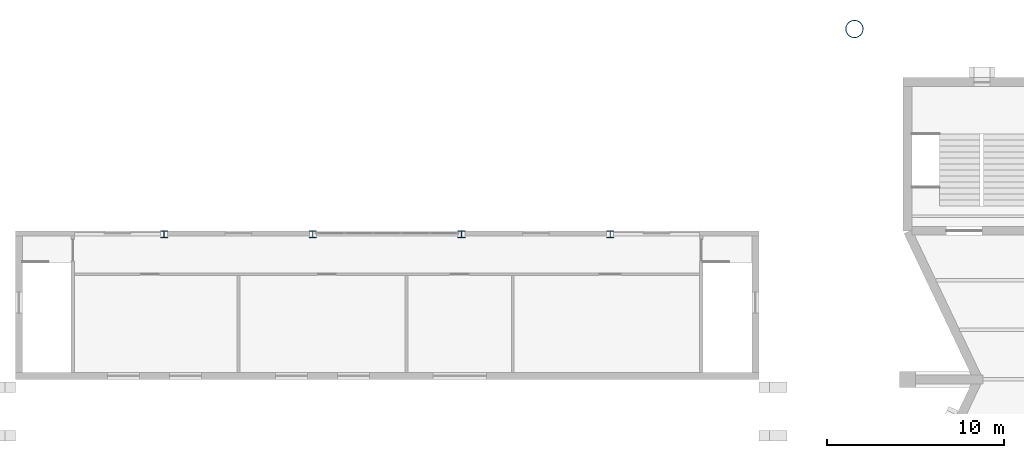
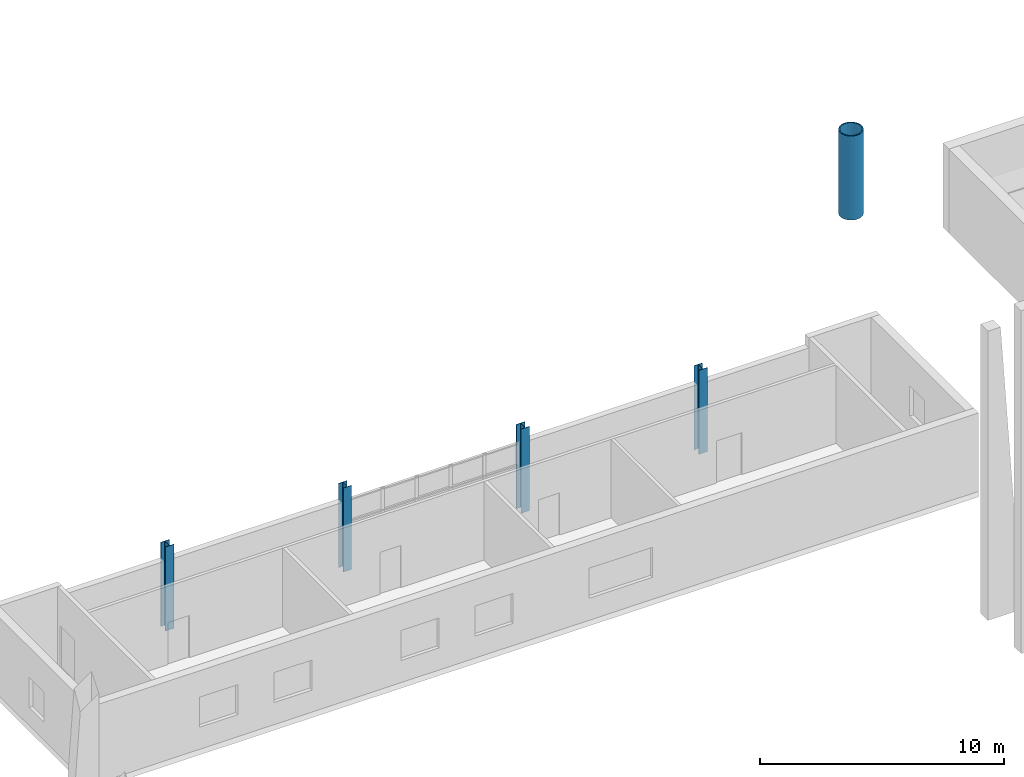
# One storey, part 8 of 96: 5 columns.
"""IFC4 building model written with IfcOpenShell, lengths in metres."""

from ifc_helpers import new_model, si_unit, direction, frame, origin, origin_2d, place, context, subcontext, project, spatial, hollow_circle, i_section, extrude, material, material_profile, profile_set, type_object, element, save


model = new_model("IFC4")

# Units and contexts
model_context = context("Model", 3, precision=1e-05, world=origin(), true_north=direction((0.0, 1.0)))
body_context = subcontext(model_context, "Body", "Model", "MODEL_VIEW")
ifc_project = project(units=[si_unit("LENGTHUNIT", "METRE"), si_unit("AREAUNIT", "SQUARE_METRE"), si_unit("VOLUMEUNIT", "CUBIC_METRE"), si_unit("PLANEANGLEUNIT", "RADIAN"), si_unit("MASSUNIT", "GRAM", prefix="KILO")], contexts=[model_context])

# Site, building, storey
site_placement = place(None, origin())
site = spatial("IfcSite", under=ifc_project, at=site_placement, CompositionType="ELEMENT")
building_placement = place(site_placement, origin())
building = spatial("IfcBuilding", under=site, at=building_placement, Name="Cresset Court Congress Hotel", CompositionType="ELEMENT")
storey_placement = place(building_placement, frame((0.0, 0.0, 6.0)))
storey = spatial("IfcBuildingStorey", under=building, at=storey_placement, Name="L01", CompositionType="ELEMENT", Elevation=6.0)

# Columns
ifc_material_1 = material(Name="Structural steel Q355B", Category="steel")
ifc_material_profile_1 = material_profile(ifc_material_1, i_section(OverallWidth=0.39990234375, OverallDepth=0.39990234375, WebThickness=0.012939453125, FlangeThickness=0.02099609375, FilletRadius=0.02197265625, at=origin_2d()), Name="HW400x400x13x21")
ifc_profile_set_1 = profile_set([ifc_material_profile_1], Name="Structural steel Q355B")
column_type_1 = type_object("IfcColumnType", Name="H-section column HW400x400x13x21", PredefinedType="COLUMN", material=ifc_profile_set_1)
for number, where, z_axis, x_axis, name in (
    (1, (16.800048828125, 109.0, 0.0), (0.0, 0.0, 1.0), (1.0, 0.0, 0.0), "Column D1"),
    (2, (25.199951171875, 109.0, 0.0), (0.0, 0.0, 1.0), (1.0, 0.0, 0.0), "Column D2"),
    (3, (33.60009765625, 109.0, 0.0), (0.0, 0.0, 1.0), (1.0, 0.0, 0.0), "Column D3"),
    (4, (42.0, 109.0, 0.0), (0.0, 0.0, 1.0), (1.0, 0.0, 0.0), "Column D4"),
):
    element("IfcColumn", number, at=place(storey_placement, frame(where, z_axis=z_axis, x_axis=x_axis)), inside=storey, type_object=column_type_1, Name=name, PredefinedType="COLUMN", context=body_context, shape_type="SweptSolid", body=[
        extrude(i_section(OverallWidth=0.39990234375, OverallDepth=0.39990234375, WebThickness=0.012939453125, FlangeThickness=0.02099609375, FilletRadius=0.02197265625, at=origin_2d()), origin(), (0.0, 0.0, 1.0), 4.199951171875),
    ])
ifc_material_2 = material(Name="Structural steel Q355B", Category="steel")
ifc_material_profile_2 = material_profile(ifc_material_2, hollow_circle(Radius=0.508056640625, WallThickness=0.050048828125, at=origin_2d()), Name="CHS1016x50")
ifc_profile_set_2 = profile_set([ifc_material_profile_2], Name="Structural steel Q355B")
column_type_2 = type_object("IfcColumnType", Name="Mast tube 1016x50", PredefinedType="COLUMN", material=ifc_profile_set_2)
column_placement = place(storey_placement, frame((55.800048828125, 120.60009765625, 0.0), z_axis=(0.0, 0.0, 1.0), x_axis=(1.0, 0.0, 0.0)))
element("IfcColumn", 5, at=column_placement, inside=storey, type_object=column_type_2, Name="Mast M4", PredefinedType="COLUMN", context=body_context, shape_type="SweptSolid", body=[
    extrude(hollow_circle(Radius=0.508056640625, WallThickness=0.050048828125, at=origin_2d()), origin(), (0.0, 0.0, 1.0), 4.199951171875),
])

save(model, "model.ifc")
